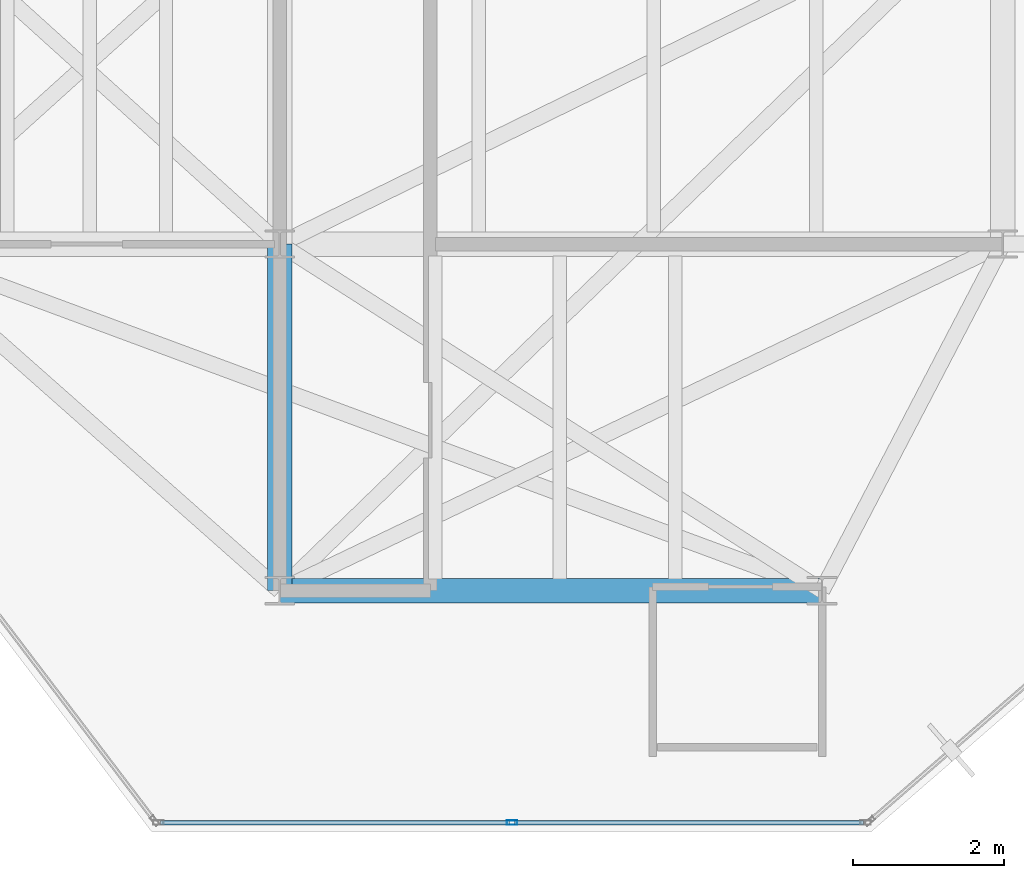
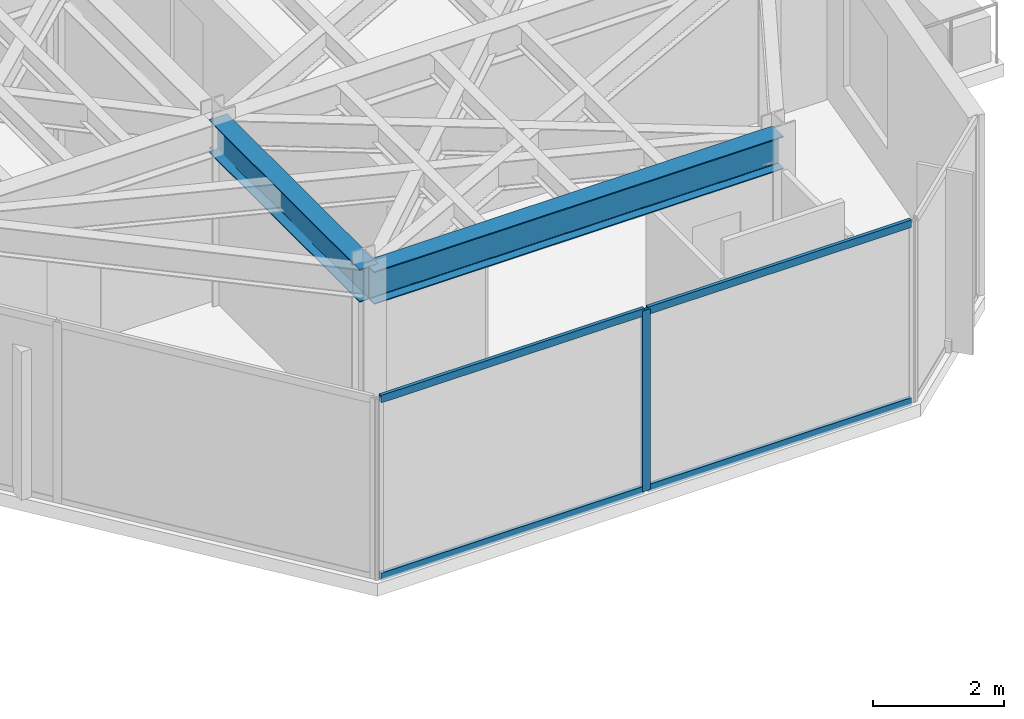
# One storey, part 6 of 17: 5 members, 2 beams, 1 element without a shape of its own.
"""IFC4 building model written with IfcOpenShell, lengths in metres."""

from ifc_helpers import new_model, si_unit, direction, frame, origin, origin_2d, place, context, subcontext, project, spatial, hollow_rectangle, i_section, extrude, material, layer, layer_set, material_profile, profile_set, type_object, element, aggregate, save


model = new_model("IFC4")

# Units and contexts
model_context = context("Model", 3, precision=1e-05, world=origin(), true_north=direction((0.0, 1.0)))
body_context = subcontext(model_context, "Body", "Model", "MODEL_VIEW")
ifc_project = project(units=[si_unit("LENGTHUNIT", "METRE"), si_unit("AREAUNIT", "SQUARE_METRE"), si_unit("VOLUMEUNIT", "CUBIC_METRE"), si_unit("PLANEANGLEUNIT", "RADIAN"), si_unit("MASSUNIT", "GRAM", prefix="KILO")], contexts=[model_context])

# Site, building, storey
site_placement = place(None, origin())
site = spatial("IfcSite", under=ifc_project, at=site_placement, CompositionType="ELEMENT")
building_placement = place(site_placement, origin())
building = spatial("IfcBuilding", under=site, at=building_placement, Name="Kravanh Interchange Tower", CompositionType="ELEMENT")
storey_placement = place(building_placement, frame((0.0, 0.0, 289.5)))
storey = spatial("IfcBuildingStorey", under=building, at=storey_placement, Name="L71", CompositionType="ELEMENT", Elevation=289.5)

# Curtain wall, members
ifc_material_1 = material(Name="Anodised Bronze Aluminium", Category="aluminium")
ifc_layer = layer(ifc_material_1, 0.179931640625)
ifc_layer_set = layer_set([ifc_layer], Name="Unitised Curtain Wall System CW-HTL Luxury Hotel")
curtain_wall_type = type_object("IfcCurtainWallType", Name="Unitised Curtain Wall System CW-HTL Luxury Hotel", PredefinedType="NOTDEFINED", material=ifc_layer_set)
curtain_wall_placement = place(storey_placement, origin())
curtain_wall = element("IfcCurtainWall", 1, at=curtain_wall_placement, inside=storey, type_object=curtain_wall_type, Name="L71 Unitised Curtain Wall CW-L71-03", PredefinedType="NOTDEFINED")
ifc_material_2 = material(Name="Anodised Bronze Aluminium", Category="aluminium")
ifc_material_profile_1 = material_profile(ifc_material_2, hollow_rectangle(XDim=0.06005859375, YDim=0.139892578125, WallThickness=0.00390625, at=origin_2d()), Name="ALU60X140X4")
ifc_profile_set_1 = profile_set([ifc_material_profile_1], Name="Anodised Bronze Aluminium")
member_type_1 = type_object("IfcMemberType", Name="Curtain Wall Mullion ALU60X140X4 Bronze", PredefinedType="MULLION", material=ifc_profile_set_1)
member_1_placement = place(storey_placement, frame((59.084228515625, 19.1201171875, 0.0), z_axis=(0.0, 0.0, 1.0), x_axis=(0.0, -1.0, 0.0)))
member_1 = element("IfcMember", 2, at=member_1_placement, type_object=member_type_1, Name="CW-HTL mullion 2", PredefinedType="MULLION", context=body_context, shape_type="SweptSolid", body=[
    extrude(hollow_rectangle(XDim=0.06005859375, YDim=0.139892578125, WallThickness=0.00390625, at=origin_2d()), origin(), (0.0, 0.0, 1.0), 3.364990234375),
])
ifc_material_3 = material(Name="Anodised Bronze Aluminium", Category="aluminium")
ifc_material_profile_2 = material_profile(ifc_material_3, hollow_rectangle(XDim=0.06005859375, YDim=0.139892578125, WallThickness=0.00390625, at=origin_2d()), Name="ALU60X140X4")
ifc_profile_set_2 = profile_set([ifc_material_profile_2], Name="Anodised Bronze Aluminium")
member_type_2 = type_object("IfcMemberType", Name="Curtain Wall Transom ALU60X140X4 Bronze", PredefinedType="USERDEFINED", material=ifc_profile_set_2)
member_2_placement = place(storey_placement, frame((63.7490234375, 19.1201171875, 0.030029296875), z_axis=(-1.0, 0.0, 0.0), x_axis=(0.0, -1.0, 0.0)))
member_2 = element("IfcMember", 3, at=member_2_placement, type_object=member_type_2, Name="CW-HTL transom 1.1", ObjectType="TRANSOM", PredefinedType="USERDEFINED", context=body_context, shape_type="SweptSolid", body=[
    extrude(hollow_rectangle(XDim=0.06005859375, YDim=0.139892578125, WallThickness=0.00390625, at=origin_2d()), origin(), (0.0, 0.0, 1.0), 4.634765625),
])
member_3_placement = place(storey_placement, frame((63.7490234375, 19.1201171875, 3.3349609375), z_axis=(-1.0, 0.0, 0.0), x_axis=(0.0, -1.0, 0.0)))
member_3 = element("IfcMember", 4, at=member_3_placement, type_object=member_type_2, Name="CW-HTL transom 1.2", ObjectType="TRANSOM", PredefinedType="USERDEFINED", context=body_context, shape_type="SweptSolid", body=[
    extrude(hollow_rectangle(XDim=0.06005859375, YDim=0.139892578125, WallThickness=0.00390625, at=origin_2d()), origin(), (0.0, 0.0, 1.0), 4.634765625),
])
member_4_placement = place(storey_placement, frame((59.05419921875, 19.1201171875, 0.030029296875), z_axis=(-1.0, 0.0, 0.0), x_axis=(0.0, -1.0, 0.0)))
member_4 = element("IfcMember", 5, at=member_4_placement, type_object=member_type_2, Name="CW-HTL transom 2.1", ObjectType="TRANSOM", PredefinedType="USERDEFINED", context=body_context, shape_type="SweptSolid", body=[
    extrude(hollow_rectangle(XDim=0.06005859375, YDim=0.139892578125, WallThickness=0.00390625, at=origin_2d()), origin(), (0.0, 0.0, 1.0), 4.634765625),
])
member_5_placement = place(storey_placement, frame((59.05419921875, 19.1201171875, 3.3349609375), z_axis=(-1.0, 0.0, 0.0), x_axis=(0.0, -1.0, 0.0)))
member_5 = element("IfcMember", 6, at=member_5_placement, type_object=member_type_2, Name="CW-HTL transom 2.2", ObjectType="TRANSOM", PredefinedType="USERDEFINED", context=body_context, shape_type="SweptSolid", body=[
    extrude(hollow_rectangle(XDim=0.06005859375, YDim=0.139892578125, WallThickness=0.00390625, at=origin_2d()), origin(), (0.0, 0.0, 1.0), 4.634765625),
])
aggregate(curtain_wall, [member_1, member_2, member_3, member_4, member_5])

# Beams
ifc_material_4 = material(Name="Structural Steel S355", Category="steel")
ifc_material_profile_3 = material_profile(ifc_material_4, i_section(OverallWidth=0.323974609375, OverallDepth=0.611083984375, WebThickness=0.0126953125, FlangeThickness=0.01904296875, FilletRadius=0.02197265625, at=origin_2d()), Name="W24X104")
ifc_profile_set_3 = profile_set([ifc_material_profile_3], Name="Structural Steel S355")
beam_type = type_object("IfcBeamType", Name="Floor Beam W24X104 Structural Steel S355", PredefinedType="BEAM", material=ifc_profile_set_3)
beam_1_placement = place(storey_placement, frame((56.0, 26.800048828125, 3.0595703125), z_axis=(0.0, -1.0, 0.0), x_axis=(1.0, 0.0, 0.0)))
element("IfcBeam", 7, at=beam_1_placement, inside=storey, type_object=beam_type, Name="L71 Primary Floor Girder 28", PredefinedType="BEAM", context=body_context, shape_type="SweptSolid", body=[
    extrude(i_section(OverallWidth=0.323974609375, OverallDepth=0.611083984375, WebThickness=0.0126953125, FlangeThickness=0.01904296875, FilletRadius=0.02197265625, at=origin_2d()), origin(), (0.0, 0.0, 1.0), 4.60009765625),
])
beam_2_placement = place(storey_placement, frame((56.0, 22.199951171875, 3.0595703125), z_axis=(1.0, 0.0, 0.0), x_axis=(0.0, 1.0, 0.0)))
element("IfcBeam", 8, at=beam_2_placement, inside=storey, type_object=beam_type, Name="L71 Primary Floor Girder 33", PredefinedType="BEAM", context=body_context, shape_type="SweptSolid", body=[
    extrude(i_section(OverallWidth=0.323974609375, OverallDepth=0.611083984375, WebThickness=0.0126953125, FlangeThickness=0.01904296875, FilletRadius=0.02197265625, at=origin_2d()), origin(), (0.0, 0.0, 1.0), 7.199951171875),
])

save(model, "model.ifc")
